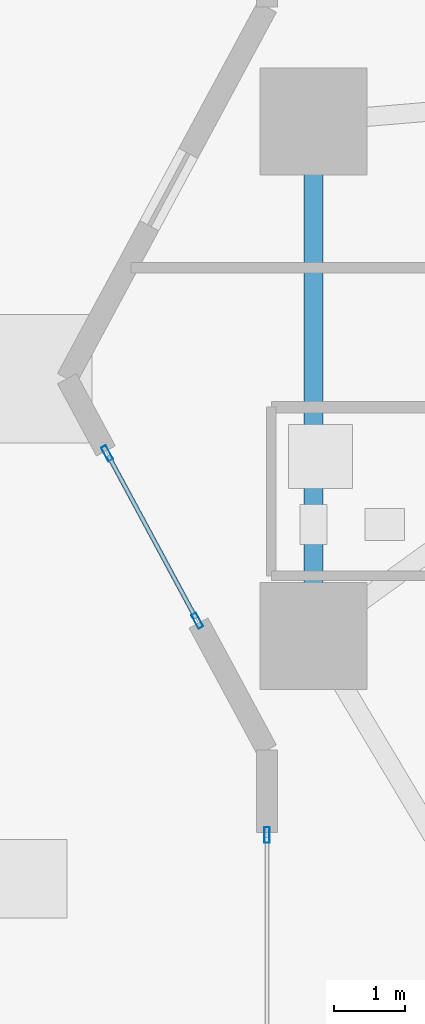
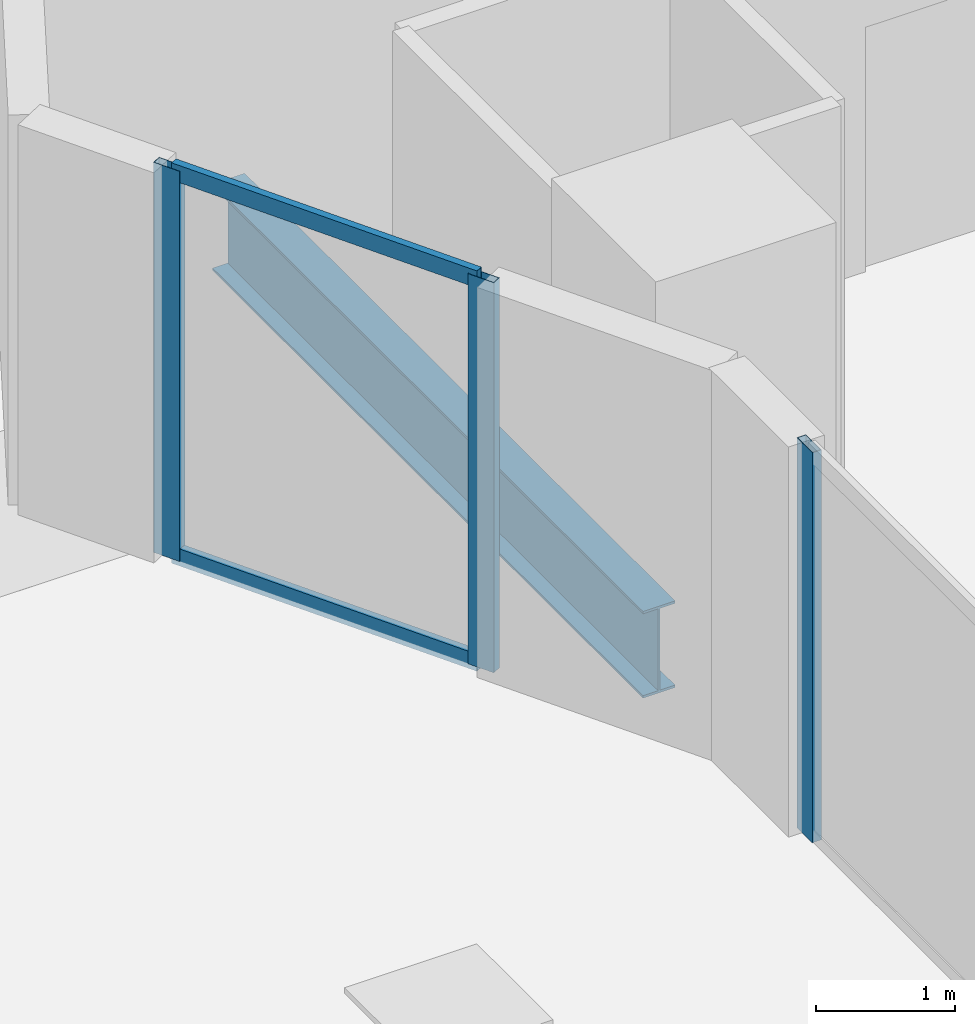
# One storey, part 4 of 30: 5 members, 1 beam, 2 elements without a shape of their own.
"""IFC4 building model written with IfcOpenShell, lengths in metres."""

from ifc_helpers import new_model, si_unit, direction, frame, origin, origin_2d, place, context, subcontext, project, spatial, hollow_rectangle, i_section, extrude, material, layer, layer_set, material_profile, profile_set, type_object, element, aggregate, save


model = new_model("IFC4")

# Units and contexts
model_context = context("Model", 3, precision=1e-05, world=origin(), true_north=direction((0.0, 1.0)))
body_context = subcontext(model_context, "Body", "Model", "MODEL_VIEW")
ifc_project = project(units=[si_unit("LENGTHUNIT", "METRE"), si_unit("AREAUNIT", "SQUARE_METRE"), si_unit("VOLUMEUNIT", "CUBIC_METRE"), si_unit("PLANEANGLEUNIT", "RADIAN"), si_unit("MASSUNIT", "GRAM", prefix="KILO")], contexts=[model_context])

# Site, building, storey
site_placement = place(None, origin())
site = spatial("IfcSite", under=ifc_project, at=site_placement, CompositionType="ELEMENT")
building_placement = place(site_placement, origin())
building = spatial("IfcBuilding", under=site, at=building_placement, Name="Zuhayl Quay Hotel", CompositionType="ELEMENT")
storey_placement = place(building_placement, frame((0.0, 0.0, 27.60009765625)))
storey = spatial("IfcBuildingStorey", under=building, at=storey_placement, Name="L05", CompositionType="ELEMENT", Elevation=27.60009765625)

# Beam
ifc_material_1 = material(Name="Steel ASTM A992 Grade 50", Category="steel")
ifc_material_profile_1 = material_profile(ifc_material_1, i_section(OverallWidth=0.26708984375, OverallDepth=0.761962890625, WebThickness=0.014404296875, FlangeThickness=0.021484375, at=origin_2d()), Name="W30X116")
ifc_profile_set_1 = profile_set([ifc_material_profile_1], Name="Steel ASTM A992 Grade 50")
beam_type = type_object("IfcBeamType", Name="BM_B1_W30X116", PredefinedType="BEAM", material=ifc_profile_set_1)
beam_placement = place(storey_placement, frame((-25.050048828125, 3.10009765625, -0.60107421875), z_axis=(0.0, -1.0, 0.0), x_axis=(1.0, 0.0, 0.0)))
element("IfcBeam", 1, at=beam_placement, inside=storey, type_object=beam_type, Name="L05 Floor Beam RG_L05_11", PredefinedType="BEAM", context=body_context, shape_type="SweptSolid", body=[
    extrude(i_section(OverallWidth=0.26708984375, OverallDepth=0.761962890625, WebThickness=0.014404296875, FlangeThickness=0.021484375, at=origin_2d()), origin(), (0.0, 0.0, 1.0), 6.2001953125),
])

# Curtain wall, member
ifc_material_2 = material(Name="Anodised Aluminium 6063-T6", Category="aluminium")
ifc_layer = layer(ifc_material_2, 0.18994140625, Name="Anodised Aluminium 6063-T6", Category="aluminium")
ifc_layer_set = layer_set([ifc_layer], Name="Anodised Aluminium 6063-T6")
curtain_wall_type = type_object("IfcCurtainWallType", Name="CW_SYS_Z1", PredefinedType="USERDEFINED", material=ifc_layer_set)
curtain_wall_1_placement = place(storey_placement, origin())
curtain_wall_1 = element("IfcCurtainWall", 2, at=curtain_wall_1_placement, inside=storey, type_object=curtain_wall_type, Name="L05 Curtain Wall ENV_L05_E02_CW1", ObjectType="UNITISED CURTAIN WALL", PredefinedType="USERDEFINED")
ifc_material_3 = material(Name="Black-anodised aluminium 6063-T6", Category="aluminium")
ifc_material_profile_2 = material_profile(ifc_material_3, hollow_rectangle(XDim=0.074951171875, YDim=0.219970703125, WallThickness=0.00390625, at=origin_2d()), Name="ALU220X75")
ifc_profile_set_2 = profile_set([ifc_material_profile_2], Name="Black-anodised aluminium 6063-T6")
member_type_1 = type_object("IfcMemberType", Name="MB_CW_MUL_220", PredefinedType="MULLION", material=ifc_profile_set_2)
member_1_placement = place(storey_placement, frame((-25.699951171875, -6.387451171875, 0.0), z_axis=(0.0, 0.0, 1.0), x_axis=(-1.0, 0.0, 0.0)))
member_1 = element("IfcMember", 3, at=member_1_placement, type_object=member_type_1, Name="CW-Z1 mullion 3", PredefinedType="MULLION", context=body_context, shape_type="SweptSolid", body=[
    extrude(hollow_rectangle(XDim=0.074951171875, YDim=0.219970703125, WallThickness=0.00390625, at=origin_2d()), origin(), (0.0, 0.0, 1.0), 3.429931640625),
])
aggregate(curtain_wall_1, [member_1])

# Curtain wall, members
curtain_wall_2_placement = place(storey_placement, origin())
curtain_wall_2 = element("IfcCurtainWall", 4, at=curtain_wall_2_placement, inside=storey, type_object=curtain_wall_type, Name="L05 Curtain Wall ENV_L05_E03_CW1", ObjectType="UNITISED CURTAIN WALL", PredefinedType="USERDEFINED")
member_2_placement = place(storey_placement, frame((-26.67578125, -3.387939453125, 0.0), z_axis=(0.0, 0.0, 1.0), x_axis=(-0.880475795468, -0.474091102632, 0.0)))
member_2 = element("IfcMember", 5, at=member_2_placement, type_object=member_type_1, Name="CW-Z1 mullion 1", PredefinedType="MULLION", context=body_context, shape_type="SweptSolid", body=[
    extrude(hollow_rectangle(XDim=0.074951171875, YDim=0.219970703125, WallThickness=0.00390625, at=origin_2d()), origin(), (0.0, 0.0, 1.0), 3.429931640625),
])
member_3_placement = place(storey_placement, frame((-27.93701171875, -1.04541015625, 0.0), z_axis=(0.0, 0.0, 1.0), x_axis=(-0.880475795468, -0.474091102632, 0.0)))
member_3 = element("IfcMember", 6, at=member_3_placement, type_object=member_type_1, Name="CW-Z1 mullion 2", PredefinedType="MULLION", context=body_context, shape_type="SweptSolid", body=[
    extrude(hollow_rectangle(XDim=0.074951171875, YDim=0.219970703125, WallThickness=0.00390625, at=origin_2d()), origin(), (0.0, 0.0, 1.0), 3.429931640625),
])
ifc_material_profile_3 = material_profile(ifc_material_3, hollow_rectangle(XDim=0.06005859375, YDim=0.14990234375, WallThickness=0.00341796875, at=origin_2d()), Name="ALU150X60")
ifc_profile_set_3 = profile_set([ifc_material_profile_3], Name="Black-anodised aluminium 6063-T6")
member_type_2 = type_object("IfcMemberType", Name="MB_CW_TRN_150", PredefinedType="USERDEFINED", material=ifc_profile_set_3)
member_4_placement = place(storey_placement, frame((-26.693603515625, -3.35498046875, 0.02978515625), z_axis=(-0.474054771703, 0.880495356845, 0.0), x_axis=(-0.880495356845, -0.474054771703, 0.0)))
member_4 = element("IfcMember", 7, at=member_4_placement, type_object=member_type_2, Name="CW-Z1 transom 1.1", ObjectType="TRANSOM", PredefinedType="USERDEFINED", context=body_context, shape_type="SweptSolid", body=[
    extrude(hollow_rectangle(XDim=0.06005859375, YDim=0.14990234375, WallThickness=0.00341796875, at=origin_2d()), origin(), (0.0, 0.0, 1.0), 2.585205078125),
])
member_5_placement = place(storey_placement, frame((-26.693603515625, -3.35498046875, 3.39990234375), z_axis=(-0.474054771703, 0.880495356845, 0.0), x_axis=(-0.880495356845, -0.474054771703, 0.0)))
member_5 = element("IfcMember", 8, at=member_5_placement, type_object=member_type_2, Name="CW-Z1 transom 1.2", ObjectType="TRANSOM", PredefinedType="USERDEFINED", context=body_context, shape_type="SweptSolid", body=[
    extrude(hollow_rectangle(XDim=0.06005859375, YDim=0.14990234375, WallThickness=0.00341796875, at=origin_2d()), origin(), (0.0, 0.0, 1.0), 2.585205078125),
])
aggregate(curtain_wall_2, [member_2, member_3, member_4, member_5])

save(model, "model.ifc")
